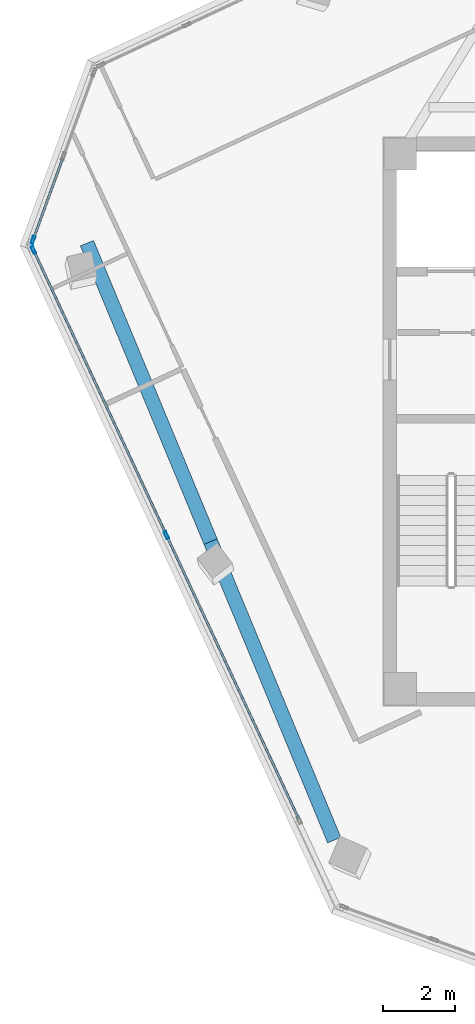
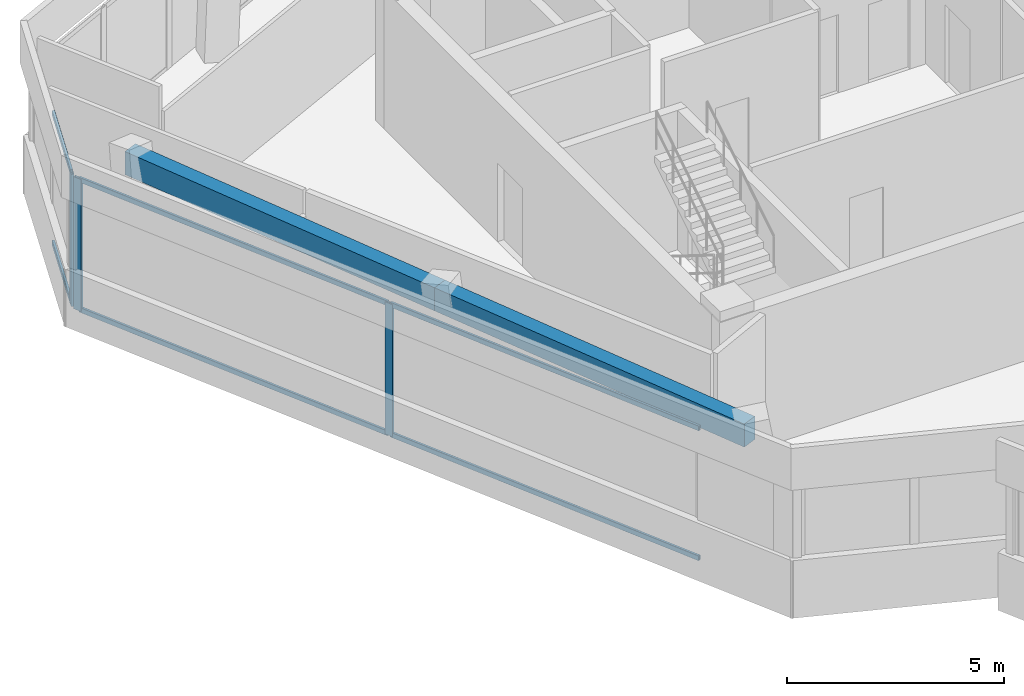
# One storey, part 4 of 16: 9 members, 2 beams, 2 elements without a shape of their own.
"""IFC4 building model written with IfcOpenShell, lengths in metres."""

from ifc_helpers import new_model, si_unit, direction, frame, origin, origin_2d, place, context, subcontext, project, spatial, rectangle, hollow_rectangle, extrude, source, transform, mapped, material, material_profile, profile_set, type_object, element, aggregate, save


model = new_model("IFC4")

# Units and contexts
model_context = context("Model", 3, precision=1e-05, world=origin(), true_north=direction((0.0, 1.0)))
body_context = subcontext(model_context, "Body", "Model", "MODEL_VIEW")
ifc_project = project(units=[si_unit("LENGTHUNIT", "METRE"), si_unit("AREAUNIT", "SQUARE_METRE"), si_unit("VOLUMEUNIT", "CUBIC_METRE"), si_unit("PLANEANGLEUNIT", "RADIAN"), si_unit("MASSUNIT", "GRAM", prefix="KILO")], contexts=[model_context])

# Site, building, storey
site_placement = place(None, origin())
site = spatial("IfcSite", under=ifc_project, at=site_placement, CompositionType="ELEMENT")
building_placement = place(site_placement, origin())
building = spatial("IfcBuilding", under=site, at=building_placement, Name="Torre Montelarca", CompositionType="ELEMENT")
storey_placement = place(building_placement, frame((0.0, 0.0, 345.0)))
storey = spatial("IfcBuildingStorey", under=building, at=storey_placement, Name="L78", CompositionType="ELEMENT", Elevation=345.0)

# Beams
ifc_material_1 = material(Name="Concrete C40/50", Category="concrete")
ifc_material_profile_1 = material_profile(ifc_material_1, rectangle(XDim=0.39990234375, YDim=0.64990234375, at=origin_2d()), Name="RCB400X650", Category="concrete")
ifc_profile_set_1 = profile_set([ifc_material_profile_1], Name="Concrete C40/50")
beam_type = type_object("IfcBeamType", Name="BM-SP-RC650-EXT", PredefinedType="SPANDREL", material=ifc_profile_set_1)
shared_shape_1 = source(origin(), body_context, "Body", "SweptSolid", [
    extrude(rectangle(XDim=0.39990234375, YDim=0.64990234375, at=origin_2d()), origin(), (0.0, 0.0, 1.0), 9.0),
])
for number, where, z_axis, x_axis, name in (
    (1, (0.82568359375, 36.96630859375, 3.594970703125), (0.382699975578, -0.923872679915, 0.0), (0.923872679915, 0.382699975578, 0.0), "L78 Grid Girder X 9.0-18.0 at Y=14.8"),
    (2, (4.27001953125, 28.6513671875, 3.594970703125), (0.382676821686, -0.923882270716, 0.0), (0.923882270716, 0.382676821686, 0.0), "L78 Grid Girder X 18.0-27.0 at Y=14.8"),
):
    element("IfcBeam", number, at=place(storey_placement, frame(where, z_axis=z_axis, x_axis=x_axis)), inside=storey, type_object=beam_type, Name=name, PredefinedType="SPANDREL", context=body_context, shape_type="MappedRepresentation", body=[
        mapped(shared_shape_1, transform((0.0, 0.0, 0.0), scale=1.0)),
    ])

# Curtain wall, members
ifc_material_2 = material(Name="Insulated low-E laminated glass", Category="glass")
curtain_wall_type = type_object("IfcCurtainWallType", Name="CW-SYS-Z4", PredefinedType="USERDEFINED", material=ifc_material_2)
curtain_wall_1_placement = place(storey_placement, origin())
curtain_wall_1 = element("IfcCurtainWall", 3, at=curtain_wall_1_placement, inside=storey, type_object=curtain_wall_type, Name="L78 Curtain Wall Run CW-T3-L78-E01-B1", ObjectType="UNITISED GLAZING", PredefinedType="USERDEFINED")
ifc_material_3 = material(Name="Anodised aluminium AA 6063-T6", Category="aluminium")
ifc_material_profile_2 = material_profile(ifc_material_3, hollow_rectangle(XDim=0.074951171875, YDim=0.219970703125, WallThickness=0.0048828125, InnerFilletRadius=0.0048828125, OuterFilletRadius=0.010009765625, at=origin_2d()), Name="ALU75X220X5", Category="aluminium")
ifc_profile_set_2 = profile_set([ifc_material_profile_2], Name="Anodised aluminium AA 6063-T6")
member_type_1 = type_object("IfcMemberType", Name="CWM-ALU220", PredefinedType="MULLION", material=ifc_profile_set_2)
shared_shape_2 = source(origin(), body_context, "Body", "SweptSolid", [
    extrude(hollow_rectangle(XDim=0.074951171875, YDim=0.219970703125, WallThickness=0.0048828125, InnerFilletRadius=0.0048828125, OuterFilletRadius=0.010009765625, at=origin_2d()), origin(), (0.0, 0.0, 1.0), 3.719970703125),
])
member_1_placement = place(storey_placement, frame((-0.665283203125, 36.776611328125, 0.0), z_axis=(0.0, 0.0, 1.0), x_axis=(0.906310265679, 0.422612946234, 0.0)))
member_1 = element("IfcMember", 4, at=member_1_placement, type_object=member_type_1, Name="CW mullion 1", PredefinedType="MULLION", context=body_context, shape_type="MappedRepresentation", body=[
    mapped(shared_shape_2, transform((0.0, 0.0, 0.0), scale=1.0)),
])
member_2_placement = place(storey_placement, frame((3.03759765625, 28.835693359375, 0.0), z_axis=(0.0, 0.0, 1.0), x_axis=(0.906310265679, 0.422612946234, 0.0)))
member_2 = element("IfcMember", 5, at=member_2_placement, type_object=member_type_1, Name="CW mullion 2", PredefinedType="MULLION", context=body_context, shape_type="MappedRepresentation", body=[
    mapped(shared_shape_2, transform((0.0, 0.0, 0.0), scale=1.0)),
])

curtain_wall_2_placement = place(storey_placement, origin())
curtain_wall_2 = element("IfcCurtainWall", 6, at=curtain_wall_2_placement, inside=storey, type_object=curtain_wall_type, Name="L78 Curtain Wall Run CW-T3-L78-E11-B1", ObjectType="UNITISED GLAZING", PredefinedType="USERDEFINED")
member_3_placement = place(storey_placement, frame((-0.677490234375, 37.052734375, 0.0), z_axis=(0.0, 0.0, 1.0), x_axis=(0.939694365175, -0.342015350618, 0.0)))
member_3 = element("IfcMember", 7, at=member_3_placement, type_object=member_type_1, Name="CW mullion 3", PredefinedType="MULLION", context=body_context, shape_type="MappedRepresentation", body=[
    mapped(shared_shape_2, transform((0.0, 0.0, 0.0), scale=1.0)),
])
ifc_material_profile_3 = material_profile(ifc_material_3, hollow_rectangle(XDim=0.06494140625, YDim=0.139892578125, WallThickness=0.00390625, InnerFilletRadius=0.00390625, OuterFilletRadius=0.008056640625, at=origin_2d()), Name="ALU65X140X4", Category="aluminium")
ifc_profile_set_3 = profile_set([ifc_material_profile_3], Name="Anodised aluminium AA 6063-T6")
member_type_2 = type_object("IfcMemberType", Name="CWT-ALU140", PredefinedType="USERDEFINED", material=ifc_profile_set_3)
shared_shape_3 = source(origin(), body_context, "Body", "SweptSolid", [
    extrude(hollow_rectangle(XDim=0.06494140625, YDim=0.139892578125, WallThickness=0.00390625, InnerFilletRadius=0.00390625, OuterFilletRadius=0.008056640625, at=origin_2d()), origin(), (0.0, 0.0, 1.0), 2.40869140625),
])
member_4_placement = place(storey_placement, frame((0.1591796875, 39.351318359375, 0.032470703125), z_axis=(-0.341987202353, -0.939704609666, 0.0), x_axis=(0.939704609666, -0.341987202353, 0.0)))
member_4 = element("IfcMember", 8, at=member_4_placement, type_object=member_type_2, Name="CW transom 2.1", ObjectType="TRANSOM", PredefinedType="USERDEFINED", context=body_context, shape_type="MappedRepresentation", body=[
    mapped(shared_shape_3, transform((0.0, 0.0, 0.0), scale=1.0)),
])
member_5_placement = place(storey_placement, frame((0.1591796875, 39.351318359375, 3.6875), z_axis=(-0.341987202353, -0.939704609666, 0.0), x_axis=(0.939704609666, -0.341987202353, 0.0)))
member_5 = element("IfcMember", 9, at=member_5_placement, type_object=member_type_2, Name="CW transom 2.2", ObjectType="TRANSOM", PredefinedType="USERDEFINED", context=body_context, shape_type="MappedRepresentation", body=[
    mapped(shared_shape_3, transform((0.0, 0.0, 0.0), scale=1.0)),
])
aggregate(curtain_wall_2, [member_3, member_4, member_5])

# Member
shared_shape_4 = source(origin(), body_context, "Body", "SweptSolid", [
    extrude(hollow_rectangle(XDim=0.06494140625, YDim=0.139892578125, WallThickness=0.00390625, InnerFilletRadius=0.00390625, OuterFilletRadius=0.008056640625, at=origin_2d()), origin(), (0.0, 0.0, 1.0), 8.68701171875),
])
member_6_placement = place(storey_placement, frame((-0.6494140625, 36.74267578125, 0.032470703125), z_axis=(0.422606964906, -0.906313054751, 0.0), x_axis=(0.906313054751, 0.422606964906, 0.0)))
member_6 = element("IfcMember", 10, at=member_6_placement, type_object=member_type_2, Name="CW transom 1.1", ObjectType="TRANSOM", PredefinedType="USERDEFINED", context=body_context, shape_type="MappedRepresentation", body=[
    mapped(shared_shape_4, transform((0.0, 0.0, 0.0), scale=1.0)),
])

member_7_placement = place(storey_placement, frame((-0.6494140625, 36.74267578125, 3.6875), z_axis=(0.422606964906, -0.906313054751, 0.0), x_axis=(0.906313054751, 0.422606964906, 0.0)))
member_7 = element("IfcMember", 11, at=member_7_placement, type_object=member_type_2, Name="CW transom 1.2", ObjectType="TRANSOM", PredefinedType="USERDEFINED", context=body_context, shape_type="MappedRepresentation", body=[
    mapped(shared_shape_4, transform((0.0, 0.0, 0.0), scale=1.0)),
])

member_8_placement = place(storey_placement, frame((3.053466796875, 28.8017578125, 0.032470703125), z_axis=(0.422606964906, -0.906313054751, 0.0), x_axis=(0.906313054751, 0.422606964906, 0.0)))
member_8 = element("IfcMember", 12, at=member_8_placement, type_object=member_type_2, Name="CW transom 2.1", ObjectType="TRANSOM", PredefinedType="USERDEFINED", context=body_context, shape_type="MappedRepresentation", body=[
    mapped(shared_shape_4, transform((0.0, 0.0, 0.0), scale=1.0)),
])

member_9_placement = place(storey_placement, frame((3.053466796875, 28.8017578125, 3.6875), z_axis=(0.422606964906, -0.906313054751, 0.0), x_axis=(0.906313054751, 0.422606964906, 0.0)))
member_9 = element("IfcMember", 13, at=member_9_placement, type_object=member_type_2, Name="CW transom 2.2", ObjectType="TRANSOM", PredefinedType="USERDEFINED", context=body_context, shape_type="MappedRepresentation", body=[
    mapped(shared_shape_4, transform((0.0, 0.0, 0.0), scale=1.0)),
])

aggregate(curtain_wall_1, [member_1, member_2, member_6, member_7, member_8, member_9])

save(model, "model.ifc")
